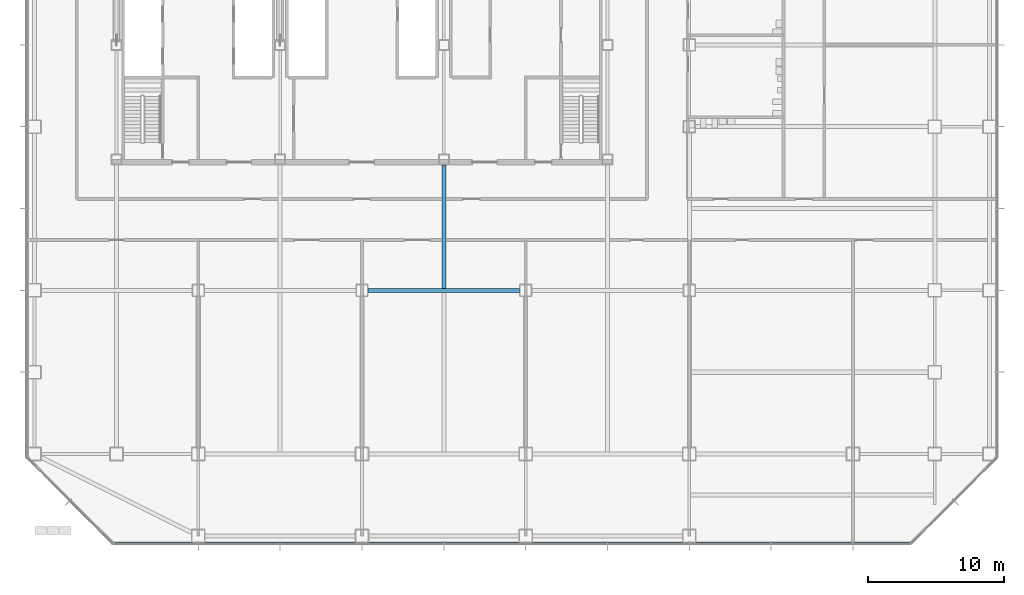
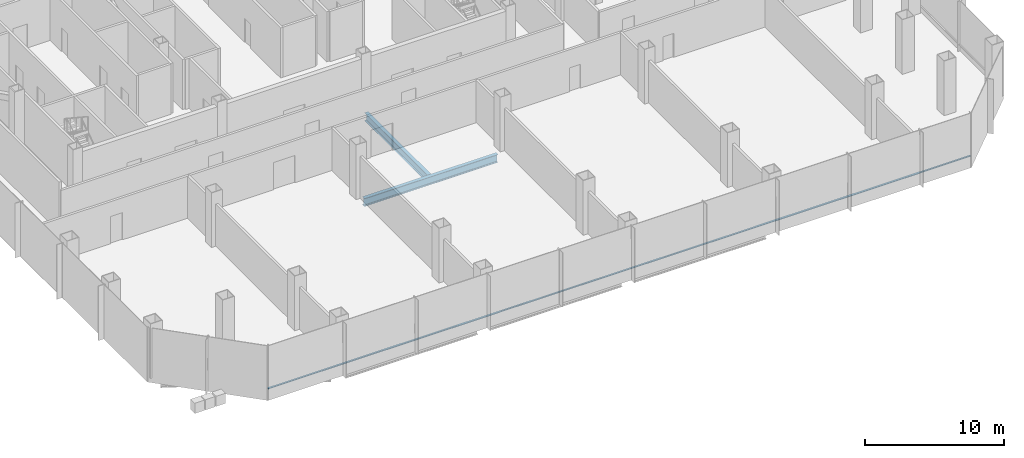
# One storey, part 7 of 33: 2 beams, 1 member, 1 element without a shape of its own.
"""IFC4 building model written with IfcOpenShell, lengths in metres."""

from ifc_helpers import new_model, si_unit, direction, frame, origin, origin_2d, place, context, subcontext, project, spatial, rectangle, i_section, extrude, material, material_profile, profile_set, type_object, element, aggregate, save


model = new_model("IFC4")

# Units and contexts
model_context = context("Model", 3, precision=1e-05, world=origin(), true_north=direction((0.0, 1.0)))
body_context = subcontext(model_context, "Body", "Model", "MODEL_VIEW")
ifc_project = project(units=[si_unit("LENGTHUNIT", "METRE"), si_unit("AREAUNIT", "SQUARE_METRE"), si_unit("VOLUMEUNIT", "CUBIC_METRE"), si_unit("PLANEANGLEUNIT", "RADIAN"), si_unit("MASSUNIT", "GRAM", prefix="KILO")], contexts=[model_context])

# Site, building, storey
site_placement = place(None, origin())
site = spatial("IfcSite", under=ifc_project, at=site_placement, CompositionType="ELEMENT")
building_placement = place(site_placement, origin())
building = spatial("IfcBuilding", under=site, at=building_placement, Name="Sorahane Residences", CompositionType="ELEMENT")
storey_placement = place(building_placement, frame((0.0, 0.0, 34.800048828125)))
storey = spatial("IfcBuildingStorey", under=building, at=storey_placement, Name="L05", CompositionType="ELEMENT", Elevation=34.800048828125)

# Curtain wall, member
ifc_material_1 = material(Name="Dark low-e glass and black anodised aluminium", Category="aluminium")
curtain_wall_type = type_object("IfcCurtainWallType", Name="Curtain wall CW-3 Podium unitised wall", PredefinedType="NOTDEFINED", material=ifc_material_1)
curtain_wall_placement = place(storey_placement, origin())
curtain_wall = element("IfcCurtainWall", 1, at=curtain_wall_placement, inside=storey, type_object=curtain_wall_type, Name="CW-3 curtain wall L05 S1", PredefinedType="NOTDEFINED")
ifc_material_2 = material(Name="Black anodised aluminium", Category="aluminium")
ifc_material_profile_1 = material_profile(ifc_material_2, rectangle(XDim=0.10009765625, YDim=0.06005859375, at=origin_2d()), Name="Curtain wall transom CW-3 black anodised aluminium 60x100")
ifc_profile_set_1 = profile_set([ifc_material_profile_1], Name="Black anodised aluminium")
member_type = type_object("IfcMemberType", Name="Curtain wall transom CW-3 black anodised aluminium 60x100", PredefinedType="USERDEFINED", material=ifc_profile_set_1)
member_placement = place(storey_placement, frame((5.801513671875, -6.530029296875, 0.599853515625), z_axis=(1.0, 0.0, 0.0), x_axis=(0.0, 1.0, 0.0)))
member = element("IfcMember", 2, at=member_placement, type_object=member_type, Name="CW-3 transom L05 S1", ObjectType="TRANSOM", PredefinedType="USERDEFINED", context=body_context, shape_type="SweptSolid", body=[
    extrude(rectangle(XDim=0.10009765625, YDim=0.06005859375, at=origin_2d()), origin(), (0.0, 0.0, 1.0), 58.39697265625),
])
aggregate(curtain_wall, [member])

# Beams
ifc_material_3 = material(Name="Steel Q355B", Category="steel")
ifc_material_profile_2 = material_profile(ifc_material_3, i_section(OverallWidth=0.300048828125, OverallDepth=0.699951171875, WebThickness=0.012939453125, FlangeThickness=0.02392578125, FilletRadius=0.028076171875, at=origin_2d()), Name="HN 700x300x13x24")
ifc_profile_set_2 = profile_set([ifc_material_profile_2], Name="Steel Q355B")
beam_type = type_object("IfcBeamType", Name="Steel floor beam HN 700x300x13x24 Q355B", PredefinedType="BEAM", material=ifc_profile_set_2)
beam_1_placement = place(storey_placement, frame((24.449951171875, 12.0, -0.75), z_axis=(1.0, 0.0, 0.0), x_axis=(0.0, 1.0, 0.0)))
element("IfcBeam", 3, at=beam_1_placement, inside=storey, type_object=beam_type, Name="Beam L05 010", PredefinedType="BEAM", context=body_context, shape_type="SweptSolid", body=[
    extrude(i_section(OverallWidth=0.300048828125, OverallDepth=0.699951171875, WebThickness=0.012939453125, FlangeThickness=0.02392578125, FilletRadius=0.028076171875, at=origin_2d()), origin(), (0.0, 0.0, 1.0), 11.10009765625),
])
beam_2_placement = place(storey_placement, frame((30.0, 12.14990234375, -0.75), z_axis=(0.0, 1.0, 0.0), x_axis=(-1.0, 0.0, 0.0)))
element("IfcBeam", 4, at=beam_2_placement, inside=storey, type_object=beam_type, Name="Beam L05 048", PredefinedType="BEAM", context=body_context, shape_type="SweptSolid", body=[
    extrude(i_section(OverallWidth=0.300048828125, OverallDepth=0.699951171875, WebThickness=0.012939453125, FlangeThickness=0.02392578125, FilletRadius=0.028076171875, at=origin_2d()), origin(), (0.0, 0.0, 1.0), 9.050048828125),
])

save(model, "model.ifc")
